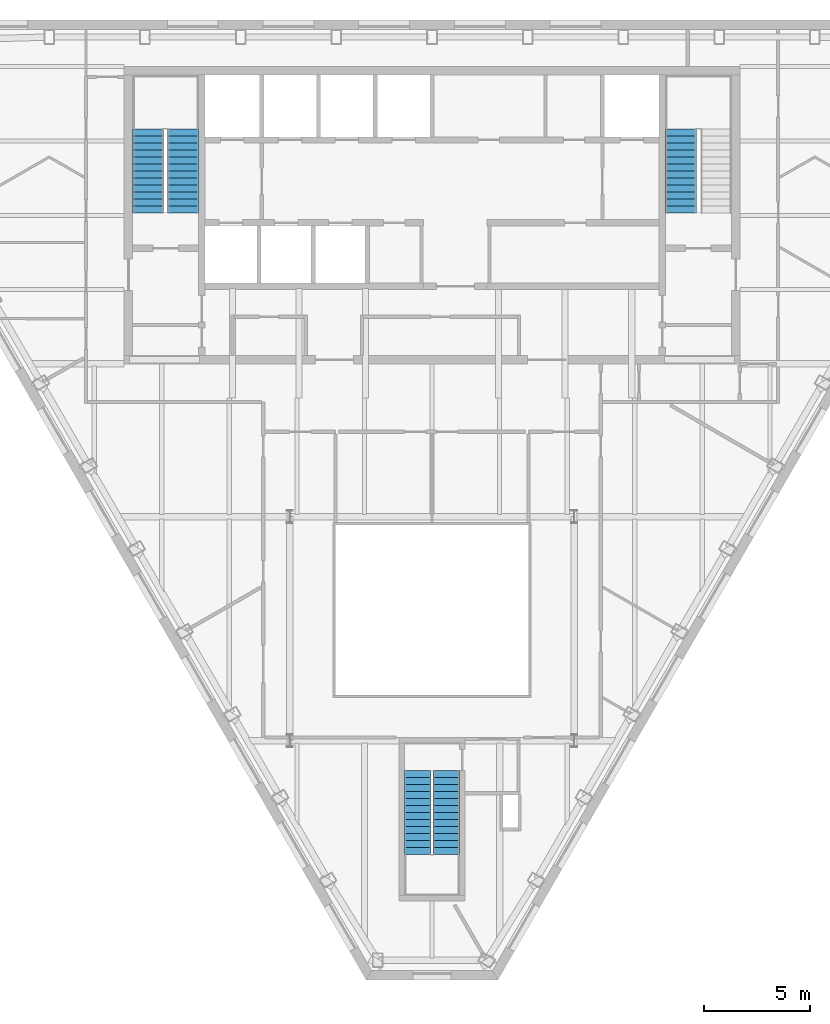
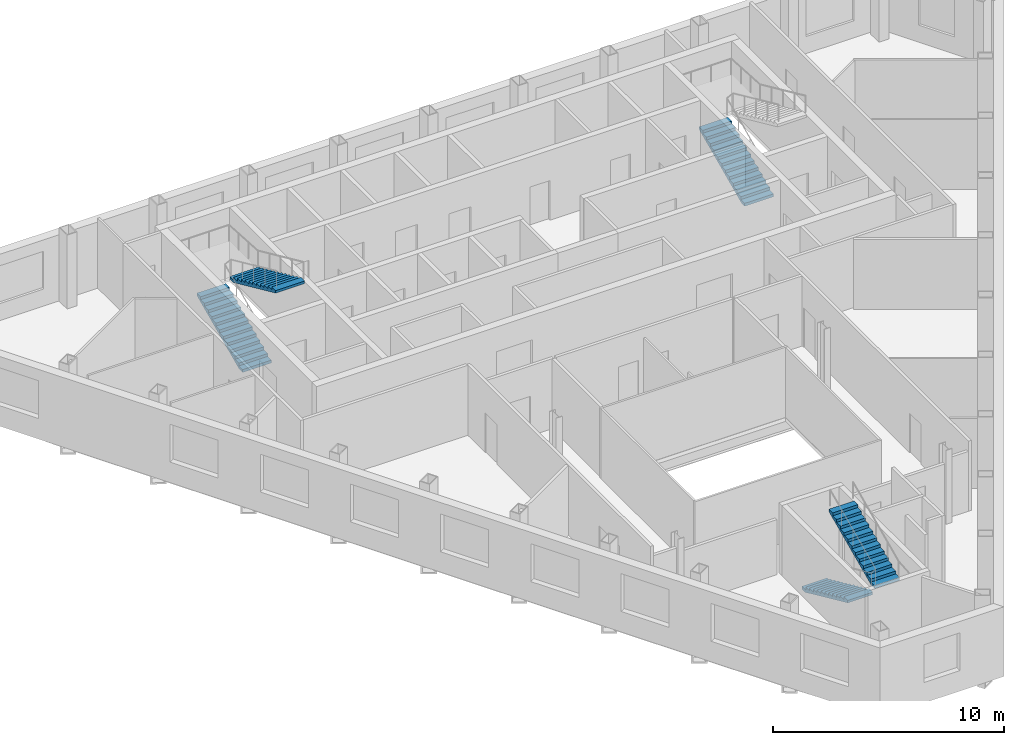
# One storey, part 8 of 10: 5 stair flights, 3 elements without a shape of their own.
"""IFC4 building model written with IfcOpenShell, lengths in metres."""

from ifc_helpers import new_model, si_unit, direction, frame, origin, place, context, subcontext, project, spatial, polygons, material, type_object, element, aggregate, save


model = new_model("IFC4")

# Units and contexts
model_context = context("Model", 3, precision=1e-05, world=origin(), true_north=direction((0.0, 1.0)))
body_context = subcontext(model_context, "Body", "Model", "MODEL_VIEW")
ifc_project = project(units=[si_unit("LENGTHUNIT", "METRE"), si_unit("AREAUNIT", "SQUARE_METRE"), si_unit("VOLUMEUNIT", "CUBIC_METRE"), si_unit("PLANEANGLEUNIT", "RADIAN"), si_unit("MASSUNIT", "GRAM", prefix="KILO")], contexts=[model_context])

# Site, building, storey
site_placement = place(None, origin())
site = spatial("IfcSite", under=ifc_project, at=site_placement, CompositionType="ELEMENT")
building_placement = place(site_placement, origin())
building = spatial("IfcBuilding", under=site, at=building_placement, Name="Njiva Tower", CompositionType="ELEMENT")
storey_placement = place(building_placement, frame((0.0, 0.0, 245.4)))
storey = spatial("IfcBuildingStorey", under=building, at=storey_placement, Name="L55", CompositionType="ELEMENT", Elevation=245.4)

# Stair, stair flights
ifc_material = material(Name="Concrete C40/50", Category="concrete")
stair_type_1 = type_object("IfcStairType", Name="ST1 Exit stair 1250", PredefinedType="HALF_TURN_STAIR", material=ifc_material)
stair_1_placement = place(storey_placement, origin())
stair_1 = element("IfcStair", 1, at=stair_1_placement, inside=storey, type_object=stair_type_1, Name="Stair C", PredefinedType="HALF_TURN_STAIR")
stair_flight_type_1 = type_object("IfcStairFlightType", Name="FL1 Stair flight 1250", PredefinedType="STRAIGHT", material=ifc_material)
stair_flight_1_placement = place(storey_placement, frame((-0.675, -15.16, 0.0), z_axis=(0.0, 0.0, 1.0), x_axis=(0.0, -1.0, 0.0)))
stair_flight_1 = element("IfcStairFlight", 2, at=stair_flight_1_placement, type_object=stair_flight_type_1, Name="ST-C flight 1", NumberOfRisers=13, NumberOfTreads=12, PredefinedType="STRAIGHT", RiserHeight=0.15, TreadLength=0.33, context=body_context, shape_type="Tessellation", body=[
    polygons([(0.0, 0.625, 0.0), (0.0, 0.3125, 0.0), (0.0, 0.0, 0.0), (0.0, -0.3125, 0.0), (0.0, -0.625, 0.0), (0.0, 0.625, 0.15), (0.0, 0.3125, 0.15), (0.0, 0.0, 0.15), (0.0, -0.3125, 0.15), (0.0, -0.625, 0.15), (0.33, 0.625, 0.15), (0.33, 0.3125, 0.15), (0.33, 0.0, 0.15), (0.33, -0.3125, 0.15), (0.33, -0.625, 0.15), (0.33, 0.625, 0.3), (0.33, 0.3125, 0.3), (0.33, 0.0, 0.3), (0.33, -0.3125, 0.3), (0.33, -0.625, 0.3), (0.66, 0.625, 0.3), (0.66, 0.3125, 0.3), (0.66, 0.0, 0.3), (0.66, -0.3125, 0.3), (0.66, -0.625, 0.3), (0.66, 0.625, 0.45), (0.66, 0.3125, 0.45), (0.66, 0.0, 0.45), (0.66, -0.3125, 0.45), (0.66, -0.625, 0.45), (0.99, 0.625, 0.45), (0.99, 0.3125, 0.45), (0.99, 0.0, 0.45), (0.99, -0.3125, 0.45), (0.99, -0.625, 0.45), (0.99, 0.625, 0.6), (0.99, 0.3125, 0.6), (0.99, 0.0, 0.6), (0.99, -0.3125, 0.6), (0.99, -0.625, 0.6), (1.32, 0.625, 0.6), (1.32, 0.3125, 0.6), (1.32, 0.0, 0.6), (1.32, -0.3125, 0.6), (1.32, -0.625, 0.6), (1.32, 0.625, 0.75), (1.32, 0.3125, 0.75), (1.32, 0.0, 0.75), (1.32, -0.3125, 0.75), (1.32, -0.625, 0.75), (1.65, 0.625, 0.75), (1.65, 0.3125, 0.75), (1.65, 0.0, 0.75), (1.65, -0.3125, 0.75), (1.65, -0.625, 0.75), (1.65, 0.625, 0.9), (1.65, 0.3125, 0.9), (1.65, 0.0, 0.9), (1.65, -0.3125, 0.9), (1.65, -0.625, 0.9), (1.98, 0.625, 0.9), (1.98, 0.3125, 0.9), (1.98, 0.0, 0.9), (1.98, -0.3125, 0.9), (1.98, -0.625, 0.9), (1.98, 0.625, 1.05), (1.98, 0.3125, 1.05), (1.98, 0.0, 1.05), (1.98, -0.3125, 1.05), (1.98, -0.625, 1.05), (2.31, 0.625, 1.05), (2.31, 0.3125, 1.05), (2.31, 0.0, 1.05), (2.31, -0.3125, 1.05), (2.31, -0.625, 1.05), (2.31, 0.625, 1.2), (2.31, 0.3125, 1.2), (2.31, 0.0, 1.2), (2.31, -0.3125, 1.2), (2.31, -0.625, 1.2), (2.64, 0.625, 1.2), (2.64, 0.3125, 1.2), (2.64, 0.0, 1.2), (2.64, -0.3125, 1.2), (2.64, -0.625, 1.2), (2.64, 0.625, 1.35), (2.64, 0.3125, 1.35), (2.64, 0.0, 1.35), (2.64, -0.3125, 1.35), (2.64, -0.625, 1.35), (2.97, 0.625, 1.35), (2.97, 0.3125, 1.35), (2.97, 0.0, 1.35), (2.97, -0.3125, 1.35), (2.97, -0.625, 1.35), (2.97, 0.625, 1.5), (2.97, 0.3125, 1.5), (2.97, 0.0, 1.5), (2.97, -0.3125, 1.5), (2.97, -0.625, 1.5), (3.3, 0.625, 1.5), (3.3, 0.3125, 1.5), (3.3, 0.0, 1.5), (3.3, -0.3125, 1.5), (3.3, -0.625, 1.5), (3.3, 0.625, 1.65), (3.3, 0.3125, 1.65), (3.3, 0.0, 1.65), (3.3, -0.3125, 1.65), (3.3, -0.625, 1.65), (3.63, 0.625, 1.65), (3.63, 0.3125, 1.65), (3.63, 0.0, 1.65), (3.63, -0.3125, 1.65), (3.63, -0.625, 1.65), (3.63, 0.625, 1.8), (3.63, 0.3125, 1.8), (3.63, 0.0, 1.8), (3.63, -0.3125, 1.8), (3.63, -0.625, 1.8), (3.96, 0.625, 1.8), (3.96, 0.3125, 1.8), (3.96, 0.0, 1.8), (3.96, -0.3125, 1.8), (3.96, -0.625, 1.8), (3.96, 0.625, 1.6682), (3.96, 0.3125, 1.6682), (3.96, 0.0, 1.6682), (3.96, -0.3125, 1.6682), (3.96, -0.625, 1.6682), (0.29, 0.625, 0.0), (0.29, 0.3125, 0.0), (0.29, 0.0, 0.0), (0.29, -0.3125, 0.0), (0.29, -0.625, 0.0)], [[[1, 6, 11, 16, 21, 26, 31, 36, 41, 46, 51, 56, 61, 66, 71, 76, 81, 86, 91, 96, 101, 106, 111, 116, 121, 126, 131]], [[135, 130, 125, 120, 115, 110, 105, 100, 95, 90, 85, 80, 75, 70, 65, 60, 55, 50, 45, 40, 35, 30, 25, 20, 15, 10, 5]], [[6, 1, 2, 7]], [[7, 2, 3, 8]], [[8, 3, 4, 9]], [[9, 4, 5, 10]], [[11, 6, 7, 12]], [[12, 7, 8, 13]], [[13, 8, 9, 14]], [[14, 9, 10, 15]], [[16, 11, 12, 17]], [[17, 12, 13, 18]], [[18, 13, 14, 19]], [[19, 14, 15, 20]], [[21, 16, 17, 22]], [[22, 17, 18, 23]], [[23, 18, 19, 24]], [[24, 19, 20, 25]], [[26, 21, 22, 27]], [[27, 22, 23, 28]], [[28, 23, 24, 29]], [[29, 24, 25, 30]], [[31, 26, 27, 32]], [[32, 27, 28, 33]], [[33, 28, 29, 34]], [[34, 29, 30, 35]], [[36, 31, 32, 37]], [[37, 32, 33, 38]], [[38, 33, 34, 39]], [[39, 34, 35, 40]], [[41, 36, 37, 42]], [[42, 37, 38, 43]], [[43, 38, 39, 44]], [[44, 39, 40, 45]], [[46, 41, 42, 47]], [[47, 42, 43, 48]], [[48, 43, 44, 49]], [[49, 44, 45, 50]], [[51, 46, 47, 52]], [[52, 47, 48, 53]], [[53, 48, 49, 54]], [[54, 49, 50, 55]], [[56, 51, 52, 57]], [[57, 52, 53, 58]], [[58, 53, 54, 59]], [[59, 54, 55, 60]], [[61, 56, 57, 62]], [[62, 57, 58, 63]], [[63, 58, 59, 64]], [[64, 59, 60, 65]], [[66, 61, 62, 67]], [[67, 62, 63, 68]], [[68, 63, 64, 69]], [[69, 64, 65, 70]], [[71, 66, 67, 72]], [[72, 67, 68, 73]], [[73, 68, 69, 74]], [[74, 69, 70, 75]], [[76, 71, 72, 77]], [[77, 72, 73, 78]], [[78, 73, 74, 79]], [[79, 74, 75, 80]], [[81, 76, 77, 82]], [[82, 77, 78, 83]], [[83, 78, 79, 84]], [[84, 79, 80, 85]], [[86, 81, 82, 87]], [[87, 82, 83, 88]], [[88, 83, 84, 89]], [[89, 84, 85, 90]], [[91, 86, 87, 92]], [[92, 87, 88, 93]], [[93, 88, 89, 94]], [[94, 89, 90, 95]], [[96, 91, 92, 97]], [[97, 92, 93, 98]], [[98, 93, 94, 99]], [[99, 94, 95, 100]], [[101, 96, 97, 102]], [[102, 97, 98, 103]], [[103, 98, 99, 104]], [[104, 99, 100, 105]], [[106, 101, 102, 107]], [[107, 102, 103, 108]], [[108, 103, 104, 109]], [[109, 104, 105, 110]], [[111, 106, 107, 112]], [[112, 107, 108, 113]], [[113, 108, 109, 114]], [[114, 109, 110, 115]], [[116, 111, 112, 117]], [[117, 112, 113, 118]], [[118, 113, 114, 119]], [[119, 114, 115, 120]], [[121, 116, 117, 122]], [[122, 117, 118, 123]], [[123, 118, 119, 124]], [[124, 119, 120, 125]], [[126, 121, 122, 127]], [[127, 122, 123, 128]], [[128, 123, 124, 129]], [[129, 124, 125, 130]], [[131, 126, 127, 132]], [[132, 127, 128, 133]], [[133, 128, 129, 134]], [[134, 129, 130, 135]], [[1, 131, 132, 2]], [[2, 132, 133, 3]], [[3, 133, 134, 4]], [[4, 134, 135, 5]]], closed=True),
])
stair_flight_2_placement = place(storey_placement, frame((0.675, -19.12, 1.95), z_axis=(0.0, 0.0, 1.0), x_axis=(0.0, 1.0, 0.0)))
stair_flight_2 = element("IfcStairFlight", 3, at=stair_flight_2_placement, type_object=stair_flight_type_1, Name="ST-C flight 2", NumberOfRisers=13, NumberOfTreads=12, PredefinedType="STRAIGHT", RiserHeight=0.15, TreadLength=0.33, context=body_context, shape_type="Tessellation", body=[
    polygons([(0.0, 0.625, 0.0), (0.0, 0.3125, 0.0), (0.0, 0.0, 0.0), (0.0, -0.3125, 0.0), (0.0, -0.625, 0.0), (0.0, 0.625, 0.15), (0.0, 0.3125, 0.15), (0.0, 0.0, 0.15), (0.0, -0.3125, 0.15), (0.0, -0.625, 0.15), (0.33, 0.625, 0.15), (0.33, 0.3125, 0.15), (0.33, 0.0, 0.15), (0.33, -0.3125, 0.15), (0.33, -0.625, 0.15), (0.33, 0.625, 0.3), (0.33, 0.3125, 0.3), (0.33, 0.0, 0.3), (0.33, -0.3125, 0.3), (0.33, -0.625, 0.3), (0.66, 0.625, 0.3), (0.66, 0.3125, 0.3), (0.66, 0.0, 0.3), (0.66, -0.3125, 0.3), (0.66, -0.625, 0.3), (0.66, 0.625, 0.45), (0.66, 0.3125, 0.45), (0.66, 0.0, 0.45), (0.66, -0.3125, 0.45), (0.66, -0.625, 0.45), (0.99, 0.625, 0.45), (0.99, 0.3125, 0.45), (0.99, 0.0, 0.45), (0.99, -0.3125, 0.45), (0.99, -0.625, 0.45), (0.99, 0.625, 0.6), (0.99, 0.3125, 0.6), (0.99, 0.0, 0.6), (0.99, -0.3125, 0.6), (0.99, -0.625, 0.6), (1.32, 0.625, 0.6), (1.32, 0.3125, 0.6), (1.32, 0.0, 0.6), (1.32, -0.3125, 0.6), (1.32, -0.625, 0.6), (1.32, 0.625, 0.75), (1.32, 0.3125, 0.75), (1.32, 0.0, 0.75), (1.32, -0.3125, 0.75), (1.32, -0.625, 0.75), (1.65, 0.625, 0.75), (1.65, 0.3125, 0.75), (1.65, 0.0, 0.75), (1.65, -0.3125, 0.75), (1.65, -0.625, 0.75), (1.65, 0.625, 0.9), (1.65, 0.3125, 0.9), (1.65, 0.0, 0.9), (1.65, -0.3125, 0.9), (1.65, -0.625, 0.9), (1.98, 0.625, 0.9), (1.98, 0.3125, 0.9), (1.98, 0.0, 0.9), (1.98, -0.3125, 0.9), (1.98, -0.625, 0.9), (1.98, 0.625, 1.05), (1.98, 0.3125, 1.05), (1.98, 0.0, 1.05), (1.98, -0.3125, 1.05), (1.98, -0.625, 1.05), (2.31, 0.625, 1.05), (2.31, 0.3125, 1.05), (2.31, 0.0, 1.05), (2.31, -0.3125, 1.05), (2.31, -0.625, 1.05), (2.31, 0.625, 1.2), (2.31, 0.3125, 1.2), (2.31, 0.0, 1.2), (2.31, -0.3125, 1.2), (2.31, -0.625, 1.2), (2.64, 0.625, 1.2), (2.64, 0.3125, 1.2), (2.64, 0.0, 1.2), (2.64, -0.3125, 1.2), (2.64, -0.625, 1.2), (2.64, 0.625, 1.35), (2.64, 0.3125, 1.35), (2.64, 0.0, 1.35), (2.64, -0.3125, 1.35), (2.64, -0.625, 1.35), (2.97, 0.625, 1.35), (2.97, 0.3125, 1.35), (2.97, 0.0, 1.35), (2.97, -0.3125, 1.35), (2.97, -0.625, 1.35), (2.97, 0.625, 1.5), (2.97, 0.3125, 1.5), (2.97, 0.0, 1.5), (2.97, -0.3125, 1.5), (2.97, -0.625, 1.5), (3.3, 0.625, 1.5), (3.3, 0.3125, 1.5), (3.3, 0.0, 1.5), (3.3, -0.3125, 1.5), (3.3, -0.625, 1.5), (3.3, 0.625, 1.65), (3.3, 0.3125, 1.65), (3.3, 0.0, 1.65), (3.3, -0.3125, 1.65), (3.3, -0.625, 1.65), (3.63, 0.625, 1.65), (3.63, 0.3125, 1.65), (3.63, 0.0, 1.65), (3.63, -0.3125, 1.65), (3.63, -0.625, 1.65), (3.63, 0.625, 1.8), (3.63, 0.3125, 1.8), (3.63, 0.0, 1.8), (3.63, -0.3125, 1.8), (3.63, -0.625, 1.8), (3.96, 0.625, 1.8), (3.96, 0.3125, 1.8), (3.96, 0.0, 1.8), (3.96, -0.3125, 1.8), (3.96, -0.625, 1.8), (3.96, 0.625, 1.6682), (3.96, 0.3125, 1.6682), (3.96, 0.0, 1.6682), (3.96, -0.3125, 1.6682), (3.96, -0.625, 1.6682), (0.29, 0.625, 0.0), (0.29, 0.3125, 0.0), (0.29, 0.0, 0.0), (0.29, -0.3125, 0.0), (0.29, -0.625, 0.0)], [[[1, 6, 11, 16, 21, 26, 31, 36, 41, 46, 51, 56, 61, 66, 71, 76, 81, 86, 91, 96, 101, 106, 111, 116, 121, 126, 131]], [[135, 130, 125, 120, 115, 110, 105, 100, 95, 90, 85, 80, 75, 70, 65, 60, 55, 50, 45, 40, 35, 30, 25, 20, 15, 10, 5]], [[6, 1, 2, 7]], [[7, 2, 3, 8]], [[8, 3, 4, 9]], [[9, 4, 5, 10]], [[11, 6, 7, 12]], [[12, 7, 8, 13]], [[13, 8, 9, 14]], [[14, 9, 10, 15]], [[16, 11, 12, 17]], [[17, 12, 13, 18]], [[18, 13, 14, 19]], [[19, 14, 15, 20]], [[21, 16, 17, 22]], [[22, 17, 18, 23]], [[23, 18, 19, 24]], [[24, 19, 20, 25]], [[26, 21, 22, 27]], [[27, 22, 23, 28]], [[28, 23, 24, 29]], [[29, 24, 25, 30]], [[31, 26, 27, 32]], [[32, 27, 28, 33]], [[33, 28, 29, 34]], [[34, 29, 30, 35]], [[36, 31, 32, 37]], [[37, 32, 33, 38]], [[38, 33, 34, 39]], [[39, 34, 35, 40]], [[41, 36, 37, 42]], [[42, 37, 38, 43]], [[43, 38, 39, 44]], [[44, 39, 40, 45]], [[46, 41, 42, 47]], [[47, 42, 43, 48]], [[48, 43, 44, 49]], [[49, 44, 45, 50]], [[51, 46, 47, 52]], [[52, 47, 48, 53]], [[53, 48, 49, 54]], [[54, 49, 50, 55]], [[56, 51, 52, 57]], [[57, 52, 53, 58]], [[58, 53, 54, 59]], [[59, 54, 55, 60]], [[61, 56, 57, 62]], [[62, 57, 58, 63]], [[63, 58, 59, 64]], [[64, 59, 60, 65]], [[66, 61, 62, 67]], [[67, 62, 63, 68]], [[68, 63, 64, 69]], [[69, 64, 65, 70]], [[71, 66, 67, 72]], [[72, 67, 68, 73]], [[73, 68, 69, 74]], [[74, 69, 70, 75]], [[76, 71, 72, 77]], [[77, 72, 73, 78]], [[78, 73, 74, 79]], [[79, 74, 75, 80]], [[81, 76, 77, 82]], [[82, 77, 78, 83]], [[83, 78, 79, 84]], [[84, 79, 80, 85]], [[86, 81, 82, 87]], [[87, 82, 83, 88]], [[88, 83, 84, 89]], [[89, 84, 85, 90]], [[91, 86, 87, 92]], [[92, 87, 88, 93]], [[93, 88, 89, 94]], [[94, 89, 90, 95]], [[96, 91, 92, 97]], [[97, 92, 93, 98]], [[98, 93, 94, 99]], [[99, 94, 95, 100]], [[101, 96, 97, 102]], [[102, 97, 98, 103]], [[103, 98, 99, 104]], [[104, 99, 100, 105]], [[106, 101, 102, 107]], [[107, 102, 103, 108]], [[108, 103, 104, 109]], [[109, 104, 105, 110]], [[111, 106, 107, 112]], [[112, 107, 108, 113]], [[113, 108, 109, 114]], [[114, 109, 110, 115]], [[116, 111, 112, 117]], [[117, 112, 113, 118]], [[118, 113, 114, 119]], [[119, 114, 115, 120]], [[121, 116, 117, 122]], [[122, 117, 118, 123]], [[123, 118, 119, 124]], [[124, 119, 120, 125]], [[126, 121, 122, 127]], [[127, 122, 123, 128]], [[128, 123, 124, 129]], [[129, 124, 125, 130]], [[131, 126, 127, 132]], [[132, 127, 128, 133]], [[133, 128, 129, 134]], [[134, 129, 130, 135]], [[1, 131, 132, 2]], [[2, 132, 133, 3]], [[3, 133, 134, 4]], [[4, 134, 135, 5]]], closed=True),
])
aggregate(stair_1, [stair_flight_1, stair_flight_2])

stair_type_2 = type_object("IfcStairType", Name="ST3 Exit stair 1450", PredefinedType="HALF_TURN_STAIR", material=ifc_material)
stair_2_placement = place(storey_placement, origin())
stair_2 = element("IfcStair", 4, at=stair_2_placement, inside=storey, type_object=stair_type_2, Name="Stair A", PredefinedType="HALF_TURN_STAIR")
stair_flight_type_2 = type_object("IfcStairFlightType", Name="FL3 Stair flight 1450", PredefinedType="STRAIGHT", material=ifc_material)
stair_flight_3_placement = place(storey_placement, frame((-13.375, 11.1, 0.0), z_axis=(0.0, 0.0, 1.0), x_axis=(0.0, 1.0, 0.0)))
stair_flight_3 = element("IfcStairFlight", 5, at=stair_flight_3_placement, type_object=stair_flight_type_2, Name="ST-A flight 1", NumberOfRisers=13, NumberOfTreads=12, PredefinedType="STRAIGHT", RiserHeight=0.15, TreadLength=0.33, context=body_context, shape_type="Tessellation", body=[
    polygons([(0.0, 0.725, 0.0), (0.0, 0.3625, 0.0), (0.0, 0.0, 0.0), (0.0, -0.3625, 0.0), (0.0, -0.725, 0.0), (0.0, 0.725, 0.15), (0.0, 0.3625, 0.15), (0.0, 0.0, 0.15), (0.0, -0.3625, 0.15), (0.0, -0.725, 0.15), (0.33, 0.725, 0.15), (0.33, 0.3625, 0.15), (0.33, 0.0, 0.15), (0.33, -0.3625, 0.15), (0.33, -0.725, 0.15), (0.33, 0.725, 0.3), (0.33, 0.3625, 0.3), (0.33, 0.0, 0.3), (0.33, -0.3625, 0.3), (0.33, -0.725, 0.3), (0.66, 0.725, 0.3), (0.66, 0.3625, 0.3), (0.66, 0.0, 0.3), (0.66, -0.3625, 0.3), (0.66, -0.725, 0.3), (0.66, 0.725, 0.45), (0.66, 0.3625, 0.45), (0.66, 0.0, 0.45), (0.66, -0.3625, 0.45), (0.66, -0.725, 0.45), (0.99, 0.725, 0.45), (0.99, 0.3625, 0.45), (0.99, 0.0, 0.45), (0.99, -0.3625, 0.45), (0.99, -0.725, 0.45), (0.99, 0.725, 0.6), (0.99, 0.3625, 0.6), (0.99, 0.0, 0.6), (0.99, -0.3625, 0.6), (0.99, -0.725, 0.6), (1.32, 0.725, 0.6), (1.32, 0.3625, 0.6), (1.32, 0.0, 0.6), (1.32, -0.3625, 0.6), (1.32, -0.725, 0.6), (1.32, 0.725, 0.75), (1.32, 0.3625, 0.75), (1.32, 0.0, 0.75), (1.32, -0.3625, 0.75), (1.32, -0.725, 0.75), (1.65, 0.725, 0.75), (1.65, 0.3625, 0.75), (1.65, 0.0, 0.75), (1.65, -0.3625, 0.75), (1.65, -0.725, 0.75), (1.65, 0.725, 0.9), (1.65, 0.3625, 0.9), (1.65, 0.0, 0.9), (1.65, -0.3625, 0.9), (1.65, -0.725, 0.9), (1.98, 0.725, 0.9), (1.98, 0.3625, 0.9), (1.98, 0.0, 0.9), (1.98, -0.3625, 0.9), (1.98, -0.725, 0.9), (1.98, 0.725, 1.05), (1.98, 0.3625, 1.05), (1.98, 0.0, 1.05), (1.98, -0.3625, 1.05), (1.98, -0.725, 1.05), (2.31, 0.725, 1.05), (2.31, 0.3625, 1.05), (2.31, 0.0, 1.05), (2.31, -0.3625, 1.05), (2.31, -0.725, 1.05), (2.31, 0.725, 1.2), (2.31, 0.3625, 1.2), (2.31, 0.0, 1.2), (2.31, -0.3625, 1.2), (2.31, -0.725, 1.2), (2.64, 0.725, 1.2), (2.64, 0.3625, 1.2), (2.64, 0.0, 1.2), (2.64, -0.3625, 1.2), (2.64, -0.725, 1.2), (2.64, 0.725, 1.35), (2.64, 0.3625, 1.35), (2.64, 0.0, 1.35), (2.64, -0.3625, 1.35), (2.64, -0.725, 1.35), (2.97, 0.725, 1.35), (2.97, 0.3625, 1.35), (2.97, 0.0, 1.35), (2.97, -0.3625, 1.35), (2.97, -0.725, 1.35), (2.97, 0.725, 1.5), (2.97, 0.3625, 1.5), (2.97, 0.0, 1.5), (2.97, -0.3625, 1.5), (2.97, -0.725, 1.5), (3.3, 0.725, 1.5), (3.3, 0.3625, 1.5), (3.3, 0.0, 1.5), (3.3, -0.3625, 1.5), (3.3, -0.725, 1.5), (3.3, 0.725, 1.65), (3.3, 0.3625, 1.65), (3.3, 0.0, 1.65), (3.3, -0.3625, 1.65), (3.3, -0.725, 1.65), (3.63, 0.725, 1.65), (3.63, 0.3625, 1.65), (3.63, 0.0, 1.65), (3.63, -0.3625, 1.65), (3.63, -0.725, 1.65), (3.63, 0.725, 1.8), (3.63, 0.3625, 1.8), (3.63, 0.0, 1.8), (3.63, -0.3625, 1.8), (3.63, -0.725, 1.8), (3.96, 0.725, 1.8), (3.96, 0.3625, 1.8), (3.96, 0.0, 1.8), (3.96, -0.3625, 1.8), (3.96, -0.725, 1.8), (3.96, 0.725, 1.6682), (3.96, 0.3625, 1.6682), (3.96, 0.0, 1.6682), (3.96, -0.3625, 1.6682), (3.96, -0.725, 1.6682), (0.29, 0.725, 0.0), (0.29, 0.3625, 0.0), (0.29, 0.0, 0.0), (0.29, -0.3625, 0.0), (0.29, -0.725, 0.0)], [[[1, 6, 11, 16, 21, 26, 31, 36, 41, 46, 51, 56, 61, 66, 71, 76, 81, 86, 91, 96, 101, 106, 111, 116, 121, 126, 131]], [[135, 130, 125, 120, 115, 110, 105, 100, 95, 90, 85, 80, 75, 70, 65, 60, 55, 50, 45, 40, 35, 30, 25, 20, 15, 10, 5]], [[6, 1, 2, 7]], [[7, 2, 3, 8]], [[8, 3, 4, 9]], [[9, 4, 5, 10]], [[11, 6, 7, 12]], [[12, 7, 8, 13]], [[13, 8, 9, 14]], [[14, 9, 10, 15]], [[16, 11, 12, 17]], [[17, 12, 13, 18]], [[18, 13, 14, 19]], [[19, 14, 15, 20]], [[21, 16, 17, 22]], [[22, 17, 18, 23]], [[23, 18, 19, 24]], [[24, 19, 20, 25]], [[26, 21, 22, 27]], [[27, 22, 23, 28]], [[28, 23, 24, 29]], [[29, 24, 25, 30]], [[31, 26, 27, 32]], [[32, 27, 28, 33]], [[33, 28, 29, 34]], [[34, 29, 30, 35]], [[36, 31, 32, 37]], [[37, 32, 33, 38]], [[38, 33, 34, 39]], [[39, 34, 35, 40]], [[41, 36, 37, 42]], [[42, 37, 38, 43]], [[43, 38, 39, 44]], [[44, 39, 40, 45]], [[46, 41, 42, 47]], [[47, 42, 43, 48]], [[48, 43, 44, 49]], [[49, 44, 45, 50]], [[51, 46, 47, 52]], [[52, 47, 48, 53]], [[53, 48, 49, 54]], [[54, 49, 50, 55]], [[56, 51, 52, 57]], [[57, 52, 53, 58]], [[58, 53, 54, 59]], [[59, 54, 55, 60]], [[61, 56, 57, 62]], [[62, 57, 58, 63]], [[63, 58, 59, 64]], [[64, 59, 60, 65]], [[66, 61, 62, 67]], [[67, 62, 63, 68]], [[68, 63, 64, 69]], [[69, 64, 65, 70]], [[71, 66, 67, 72]], [[72, 67, 68, 73]], [[73, 68, 69, 74]], [[74, 69, 70, 75]], [[76, 71, 72, 77]], [[77, 72, 73, 78]], [[78, 73, 74, 79]], [[79, 74, 75, 80]], [[81, 76, 77, 82]], [[82, 77, 78, 83]], [[83, 78, 79, 84]], [[84, 79, 80, 85]], [[86, 81, 82, 87]], [[87, 82, 83, 88]], [[88, 83, 84, 89]], [[89, 84, 85, 90]], [[91, 86, 87, 92]], [[92, 87, 88, 93]], [[93, 88, 89, 94]], [[94, 89, 90, 95]], [[96, 91, 92, 97]], [[97, 92, 93, 98]], [[98, 93, 94, 99]], [[99, 94, 95, 100]], [[101, 96, 97, 102]], [[102, 97, 98, 103]], [[103, 98, 99, 104]], [[104, 99, 100, 105]], [[106, 101, 102, 107]], [[107, 102, 103, 108]], [[108, 103, 104, 109]], [[109, 104, 105, 110]], [[111, 106, 107, 112]], [[112, 107, 108, 113]], [[113, 108, 109, 114]], [[114, 109, 110, 115]], [[116, 111, 112, 117]], [[117, 112, 113, 118]], [[118, 113, 114, 119]], [[119, 114, 115, 120]], [[121, 116, 117, 122]], [[122, 117, 118, 123]], [[123, 118, 119, 124]], [[124, 119, 120, 125]], [[126, 121, 122, 127]], [[127, 122, 123, 128]], [[128, 123, 124, 129]], [[129, 124, 125, 130]], [[131, 126, 127, 132]], [[132, 127, 128, 133]], [[133, 128, 129, 134]], [[134, 129, 130, 135]], [[1, 131, 132, 2]], [[2, 132, 133, 3]], [[3, 133, 134, 4]], [[4, 134, 135, 5]]], closed=True),
])
stair_flight_4_placement = place(storey_placement, frame((-11.725, 15.06, 1.95), z_axis=(0.0, 0.0, 1.0), x_axis=(0.0, -1.0, 0.0)))
stair_flight_4 = element("IfcStairFlight", 6, at=stair_flight_4_placement, type_object=stair_flight_type_2, Name="ST-A flight 2", NumberOfRisers=13, NumberOfTreads=12, PredefinedType="STRAIGHT", RiserHeight=0.15, TreadLength=0.33, context=body_context, shape_type="Tessellation", body=[
    polygons([(0.0, 0.725, 0.0), (0.0, 0.3625, 0.0), (0.0, 0.0, 0.0), (0.0, -0.3625, 0.0), (0.0, -0.725, 0.0), (0.0, 0.725, 0.15), (0.0, 0.3625, 0.15), (0.0, 0.0, 0.15), (0.0, -0.3625, 0.15), (0.0, -0.725, 0.15), (0.33, 0.725, 0.15), (0.33, 0.3625, 0.15), (0.33, 0.0, 0.15), (0.33, -0.3625, 0.15), (0.33, -0.725, 0.15), (0.33, 0.725, 0.3), (0.33, 0.3625, 0.3), (0.33, 0.0, 0.3), (0.33, -0.3625, 0.3), (0.33, -0.725, 0.3), (0.66, 0.725, 0.3), (0.66, 0.3625, 0.3), (0.66, 0.0, 0.3), (0.66, -0.3625, 0.3), (0.66, -0.725, 0.3), (0.66, 0.725, 0.45), (0.66, 0.3625, 0.45), (0.66, 0.0, 0.45), (0.66, -0.3625, 0.45), (0.66, -0.725, 0.45), (0.99, 0.725, 0.45), (0.99, 0.3625, 0.45), (0.99, 0.0, 0.45), (0.99, -0.3625, 0.45), (0.99, -0.725, 0.45), (0.99, 0.725, 0.6), (0.99, 0.3625, 0.6), (0.99, 0.0, 0.6), (0.99, -0.3625, 0.6), (0.99, -0.725, 0.6), (1.32, 0.725, 0.6), (1.32, 0.3625, 0.6), (1.32, 0.0, 0.6), (1.32, -0.3625, 0.6), (1.32, -0.725, 0.6), (1.32, 0.725, 0.75), (1.32, 0.3625, 0.75), (1.32, 0.0, 0.75), (1.32, -0.3625, 0.75), (1.32, -0.725, 0.75), (1.65, 0.725, 0.75), (1.65, 0.3625, 0.75), (1.65, 0.0, 0.75), (1.65, -0.3625, 0.75), (1.65, -0.725, 0.75), (1.65, 0.725, 0.9), (1.65, 0.3625, 0.9), (1.65, 0.0, 0.9), (1.65, -0.3625, 0.9), (1.65, -0.725, 0.9), (1.98, 0.725, 0.9), (1.98, 0.3625, 0.9), (1.98, 0.0, 0.9), (1.98, -0.3625, 0.9), (1.98, -0.725, 0.9), (1.98, 0.725, 1.05), (1.98, 0.3625, 1.05), (1.98, 0.0, 1.05), (1.98, -0.3625, 1.05), (1.98, -0.725, 1.05), (2.31, 0.725, 1.05), (2.31, 0.3625, 1.05), (2.31, 0.0, 1.05), (2.31, -0.3625, 1.05), (2.31, -0.725, 1.05), (2.31, 0.725, 1.2), (2.31, 0.3625, 1.2), (2.31, 0.0, 1.2), (2.31, -0.3625, 1.2), (2.31, -0.725, 1.2), (2.64, 0.725, 1.2), (2.64, 0.3625, 1.2), (2.64, 0.0, 1.2), (2.64, -0.3625, 1.2), (2.64, -0.725, 1.2), (2.64, 0.725, 1.35), (2.64, 0.3625, 1.35), (2.64, 0.0, 1.35), (2.64, -0.3625, 1.35), (2.64, -0.725, 1.35), (2.97, 0.725, 1.35), (2.97, 0.3625, 1.35), (2.97, 0.0, 1.35), (2.97, -0.3625, 1.35), (2.97, -0.725, 1.35), (2.97, 0.725, 1.5), (2.97, 0.3625, 1.5), (2.97, 0.0, 1.5), (2.97, -0.3625, 1.5), (2.97, -0.725, 1.5), (3.3, 0.725, 1.5), (3.3, 0.3625, 1.5), (3.3, 0.0, 1.5), (3.3, -0.3625, 1.5), (3.3, -0.725, 1.5), (3.3, 0.725, 1.65), (3.3, 0.3625, 1.65), (3.3, 0.0, 1.65), (3.3, -0.3625, 1.65), (3.3, -0.725, 1.65), (3.63, 0.725, 1.65), (3.63, 0.3625, 1.65), (3.63, 0.0, 1.65), (3.63, -0.3625, 1.65), (3.63, -0.725, 1.65), (3.63, 0.725, 1.8), (3.63, 0.3625, 1.8), (3.63, 0.0, 1.8), (3.63, -0.3625, 1.8), (3.63, -0.725, 1.8), (3.96, 0.725, 1.8), (3.96, 0.3625, 1.8), (3.96, 0.0, 1.8), (3.96, -0.3625, 1.8), (3.96, -0.725, 1.8), (3.96, 0.725, 1.6682), (3.96, 0.3625, 1.6682), (3.96, 0.0, 1.6682), (3.96, -0.3625, 1.6682), (3.96, -0.725, 1.6682), (0.29, 0.725, 0.0), (0.29, 0.3625, 0.0), (0.29, 0.0, 0.0), (0.29, -0.3625, 0.0), (0.29, -0.725, 0.0)], [[[1, 6, 11, 16, 21, 26, 31, 36, 41, 46, 51, 56, 61, 66, 71, 76, 81, 86, 91, 96, 101, 106, 111, 116, 121, 126, 131]], [[135, 130, 125, 120, 115, 110, 105, 100, 95, 90, 85, 80, 75, 70, 65, 60, 55, 50, 45, 40, 35, 30, 25, 20, 15, 10, 5]], [[6, 1, 2, 7]], [[7, 2, 3, 8]], [[8, 3, 4, 9]], [[9, 4, 5, 10]], [[11, 6, 7, 12]], [[12, 7, 8, 13]], [[13, 8, 9, 14]], [[14, 9, 10, 15]], [[16, 11, 12, 17]], [[17, 12, 13, 18]], [[18, 13, 14, 19]], [[19, 14, 15, 20]], [[21, 16, 17, 22]], [[22, 17, 18, 23]], [[23, 18, 19, 24]], [[24, 19, 20, 25]], [[26, 21, 22, 27]], [[27, 22, 23, 28]], [[28, 23, 24, 29]], [[29, 24, 25, 30]], [[31, 26, 27, 32]], [[32, 27, 28, 33]], [[33, 28, 29, 34]], [[34, 29, 30, 35]], [[36, 31, 32, 37]], [[37, 32, 33, 38]], [[38, 33, 34, 39]], [[39, 34, 35, 40]], [[41, 36, 37, 42]], [[42, 37, 38, 43]], [[43, 38, 39, 44]], [[44, 39, 40, 45]], [[46, 41, 42, 47]], [[47, 42, 43, 48]], [[48, 43, 44, 49]], [[49, 44, 45, 50]], [[51, 46, 47, 52]], [[52, 47, 48, 53]], [[53, 48, 49, 54]], [[54, 49, 50, 55]], [[56, 51, 52, 57]], [[57, 52, 53, 58]], [[58, 53, 54, 59]], [[59, 54, 55, 60]], [[61, 56, 57, 62]], [[62, 57, 58, 63]], [[63, 58, 59, 64]], [[64, 59, 60, 65]], [[66, 61, 62, 67]], [[67, 62, 63, 68]], [[68, 63, 64, 69]], [[69, 64, 65, 70]], [[71, 66, 67, 72]], [[72, 67, 68, 73]], [[73, 68, 69, 74]], [[74, 69, 70, 75]], [[76, 71, 72, 77]], [[77, 72, 73, 78]], [[78, 73, 74, 79]], [[79, 74, 75, 80]], [[81, 76, 77, 82]], [[82, 77, 78, 83]], [[83, 78, 79, 84]], [[84, 79, 80, 85]], [[86, 81, 82, 87]], [[87, 82, 83, 88]], [[88, 83, 84, 89]], [[89, 84, 85, 90]], [[91, 86, 87, 92]], [[92, 87, 88, 93]], [[93, 88, 89, 94]], [[94, 89, 90, 95]], [[96, 91, 92, 97]], [[97, 92, 93, 98]], [[98, 93, 94, 99]], [[99, 94, 95, 100]], [[101, 96, 97, 102]], [[102, 97, 98, 103]], [[103, 98, 99, 104]], [[104, 99, 100, 105]], [[106, 101, 102, 107]], [[107, 102, 103, 108]], [[108, 103, 104, 109]], [[109, 104, 105, 110]], [[111, 106, 107, 112]], [[112, 107, 108, 113]], [[113, 108, 109, 114]], [[114, 109, 110, 115]], [[116, 111, 112, 117]], [[117, 112, 113, 118]], [[118, 113, 114, 119]], [[119, 114, 115, 120]], [[121, 116, 117, 122]], [[122, 117, 118, 123]], [[123, 118, 119, 124]], [[124, 119, 120, 125]], [[126, 121, 122, 127]], [[127, 122, 123, 128]], [[128, 123, 124, 129]], [[129, 124, 125, 130]], [[131, 126, 127, 132]], [[132, 127, 128, 133]], [[133, 128, 129, 134]], [[134, 129, 130, 135]], [[1, 131, 132, 2]], [[2, 132, 133, 3]], [[3, 133, 134, 4]], [[4, 134, 135, 5]]], closed=True),
])
aggregate(stair_2, [stair_flight_3, stair_flight_4])

# Stair, stair flight
stair_3_placement = place(storey_placement, origin())
stair_3 = element("IfcStair", 7, at=stair_3_placement, inside=storey, type_object=stair_type_2, Name="Stair B", PredefinedType="HALF_TURN_STAIR")
stair_flight_5_placement = place(storey_placement, frame((11.725, 11.1, 0.0), z_axis=(0.0, 0.0, 1.0), x_axis=(0.0, 1.0, 0.0)))
stair_flight_5 = element("IfcStairFlight", 8, at=stair_flight_5_placement, type_object=stair_flight_type_2, Name="ST-B flight 1", NumberOfRisers=13, NumberOfTreads=12, PredefinedType="STRAIGHT", RiserHeight=0.15, TreadLength=0.33, context=body_context, shape_type="Tessellation", body=[
    polygons([(0.0, 0.725, 0.0), (0.0, 0.3625, 0.0), (0.0, 0.0, 0.0), (0.0, -0.3625, 0.0), (0.0, -0.725, 0.0), (0.0, 0.725, 0.15), (0.0, 0.3625, 0.15), (0.0, 0.0, 0.15), (0.0, -0.3625, 0.15), (0.0, -0.725, 0.15), (0.33, 0.725, 0.15), (0.33, 0.3625, 0.15), (0.33, 0.0, 0.15), (0.33, -0.3625, 0.15), (0.33, -0.725, 0.15), (0.33, 0.725, 0.3), (0.33, 0.3625, 0.3), (0.33, 0.0, 0.3), (0.33, -0.3625, 0.3), (0.33, -0.725, 0.3), (0.66, 0.725, 0.3), (0.66, 0.3625, 0.3), (0.66, 0.0, 0.3), (0.66, -0.3625, 0.3), (0.66, -0.725, 0.3), (0.66, 0.725, 0.45), (0.66, 0.3625, 0.45), (0.66, 0.0, 0.45), (0.66, -0.3625, 0.45), (0.66, -0.725, 0.45), (0.99, 0.725, 0.45), (0.99, 0.3625, 0.45), (0.99, 0.0, 0.45), (0.99, -0.3625, 0.45), (0.99, -0.725, 0.45), (0.99, 0.725, 0.6), (0.99, 0.3625, 0.6), (0.99, 0.0, 0.6), (0.99, -0.3625, 0.6), (0.99, -0.725, 0.6), (1.32, 0.725, 0.6), (1.32, 0.3625, 0.6), (1.32, 0.0, 0.6), (1.32, -0.3625, 0.6), (1.32, -0.725, 0.6), (1.32, 0.725, 0.75), (1.32, 0.3625, 0.75), (1.32, 0.0, 0.75), (1.32, -0.3625, 0.75), (1.32, -0.725, 0.75), (1.65, 0.725, 0.75), (1.65, 0.3625, 0.75), (1.65, 0.0, 0.75), (1.65, -0.3625, 0.75), (1.65, -0.725, 0.75), (1.65, 0.725, 0.9), (1.65, 0.3625, 0.9), (1.65, 0.0, 0.9), (1.65, -0.3625, 0.9), (1.65, -0.725, 0.9), (1.98, 0.725, 0.9), (1.98, 0.3625, 0.9), (1.98, 0.0, 0.9), (1.98, -0.3625, 0.9), (1.98, -0.725, 0.9), (1.98, 0.725, 1.05), (1.98, 0.3625, 1.05), (1.98, 0.0, 1.05), (1.98, -0.3625, 1.05), (1.98, -0.725, 1.05), (2.31, 0.725, 1.05), (2.31, 0.3625, 1.05), (2.31, 0.0, 1.05), (2.31, -0.3625, 1.05), (2.31, -0.725, 1.05), (2.31, 0.725, 1.2), (2.31, 0.3625, 1.2), (2.31, 0.0, 1.2), (2.31, -0.3625, 1.2), (2.31, -0.725, 1.2), (2.64, 0.725, 1.2), (2.64, 0.3625, 1.2), (2.64, 0.0, 1.2), (2.64, -0.3625, 1.2), (2.64, -0.725, 1.2), (2.64, 0.725, 1.35), (2.64, 0.3625, 1.35), (2.64, 0.0, 1.35), (2.64, -0.3625, 1.35), (2.64, -0.725, 1.35), (2.97, 0.725, 1.35), (2.97, 0.3625, 1.35), (2.97, 0.0, 1.35), (2.97, -0.3625, 1.35), (2.97, -0.725, 1.35), (2.97, 0.725, 1.5), (2.97, 0.3625, 1.5), (2.97, 0.0, 1.5), (2.97, -0.3625, 1.5), (2.97, -0.725, 1.5), (3.3, 0.725, 1.5), (3.3, 0.3625, 1.5), (3.3, 0.0, 1.5), (3.3, -0.3625, 1.5), (3.3, -0.725, 1.5), (3.3, 0.725, 1.65), (3.3, 0.3625, 1.65), (3.3, 0.0, 1.65), (3.3, -0.3625, 1.65), (3.3, -0.725, 1.65), (3.63, 0.725, 1.65), (3.63, 0.3625, 1.65), (3.63, 0.0, 1.65), (3.63, -0.3625, 1.65), (3.63, -0.725, 1.65), (3.63, 0.725, 1.8), (3.63, 0.3625, 1.8), (3.63, 0.0, 1.8), (3.63, -0.3625, 1.8), (3.63, -0.725, 1.8), (3.96, 0.725, 1.8), (3.96, 0.3625, 1.8), (3.96, 0.0, 1.8), (3.96, -0.3625, 1.8), (3.96, -0.725, 1.8), (3.96, 0.725, 1.6682), (3.96, 0.3625, 1.6682), (3.96, 0.0, 1.6682), (3.96, -0.3625, 1.6682), (3.96, -0.725, 1.6682), (0.29, 0.725, 0.0), (0.29, 0.3625, 0.0), (0.29, 0.0, 0.0), (0.29, -0.3625, 0.0), (0.29, -0.725, 0.0)], [[[1, 6, 11, 16, 21, 26, 31, 36, 41, 46, 51, 56, 61, 66, 71, 76, 81, 86, 91, 96, 101, 106, 111, 116, 121, 126, 131]], [[135, 130, 125, 120, 115, 110, 105, 100, 95, 90, 85, 80, 75, 70, 65, 60, 55, 50, 45, 40, 35, 30, 25, 20, 15, 10, 5]], [[6, 1, 2, 7]], [[7, 2, 3, 8]], [[8, 3, 4, 9]], [[9, 4, 5, 10]], [[11, 6, 7, 12]], [[12, 7, 8, 13]], [[13, 8, 9, 14]], [[14, 9, 10, 15]], [[16, 11, 12, 17]], [[17, 12, 13, 18]], [[18, 13, 14, 19]], [[19, 14, 15, 20]], [[21, 16, 17, 22]], [[22, 17, 18, 23]], [[23, 18, 19, 24]], [[24, 19, 20, 25]], [[26, 21, 22, 27]], [[27, 22, 23, 28]], [[28, 23, 24, 29]], [[29, 24, 25, 30]], [[31, 26, 27, 32]], [[32, 27, 28, 33]], [[33, 28, 29, 34]], [[34, 29, 30, 35]], [[36, 31, 32, 37]], [[37, 32, 33, 38]], [[38, 33, 34, 39]], [[39, 34, 35, 40]], [[41, 36, 37, 42]], [[42, 37, 38, 43]], [[43, 38, 39, 44]], [[44, 39, 40, 45]], [[46, 41, 42, 47]], [[47, 42, 43, 48]], [[48, 43, 44, 49]], [[49, 44, 45, 50]], [[51, 46, 47, 52]], [[52, 47, 48, 53]], [[53, 48, 49, 54]], [[54, 49, 50, 55]], [[56, 51, 52, 57]], [[57, 52, 53, 58]], [[58, 53, 54, 59]], [[59, 54, 55, 60]], [[61, 56, 57, 62]], [[62, 57, 58, 63]], [[63, 58, 59, 64]], [[64, 59, 60, 65]], [[66, 61, 62, 67]], [[67, 62, 63, 68]], [[68, 63, 64, 69]], [[69, 64, 65, 70]], [[71, 66, 67, 72]], [[72, 67, 68, 73]], [[73, 68, 69, 74]], [[74, 69, 70, 75]], [[76, 71, 72, 77]], [[77, 72, 73, 78]], [[78, 73, 74, 79]], [[79, 74, 75, 80]], [[81, 76, 77, 82]], [[82, 77, 78, 83]], [[83, 78, 79, 84]], [[84, 79, 80, 85]], [[86, 81, 82, 87]], [[87, 82, 83, 88]], [[88, 83, 84, 89]], [[89, 84, 85, 90]], [[91, 86, 87, 92]], [[92, 87, 88, 93]], [[93, 88, 89, 94]], [[94, 89, 90, 95]], [[96, 91, 92, 97]], [[97, 92, 93, 98]], [[98, 93, 94, 99]], [[99, 94, 95, 100]], [[101, 96, 97, 102]], [[102, 97, 98, 103]], [[103, 98, 99, 104]], [[104, 99, 100, 105]], [[106, 101, 102, 107]], [[107, 102, 103, 108]], [[108, 103, 104, 109]], [[109, 104, 105, 110]], [[111, 106, 107, 112]], [[112, 107, 108, 113]], [[113, 108, 109, 114]], [[114, 109, 110, 115]], [[116, 111, 112, 117]], [[117, 112, 113, 118]], [[118, 113, 114, 119]], [[119, 114, 115, 120]], [[121, 116, 117, 122]], [[122, 117, 118, 123]], [[123, 118, 119, 124]], [[124, 119, 120, 125]], [[126, 121, 122, 127]], [[127, 122, 123, 128]], [[128, 123, 124, 129]], [[129, 124, 125, 130]], [[131, 126, 127, 132]], [[132, 127, 128, 133]], [[133, 128, 129, 134]], [[134, 129, 130, 135]], [[1, 131, 132, 2]], [[2, 132, 133, 3]], [[3, 133, 134, 4]], [[4, 134, 135, 5]]], closed=True),
])
aggregate(stair_3, [stair_flight_5])

save(model, "model.ifc")
